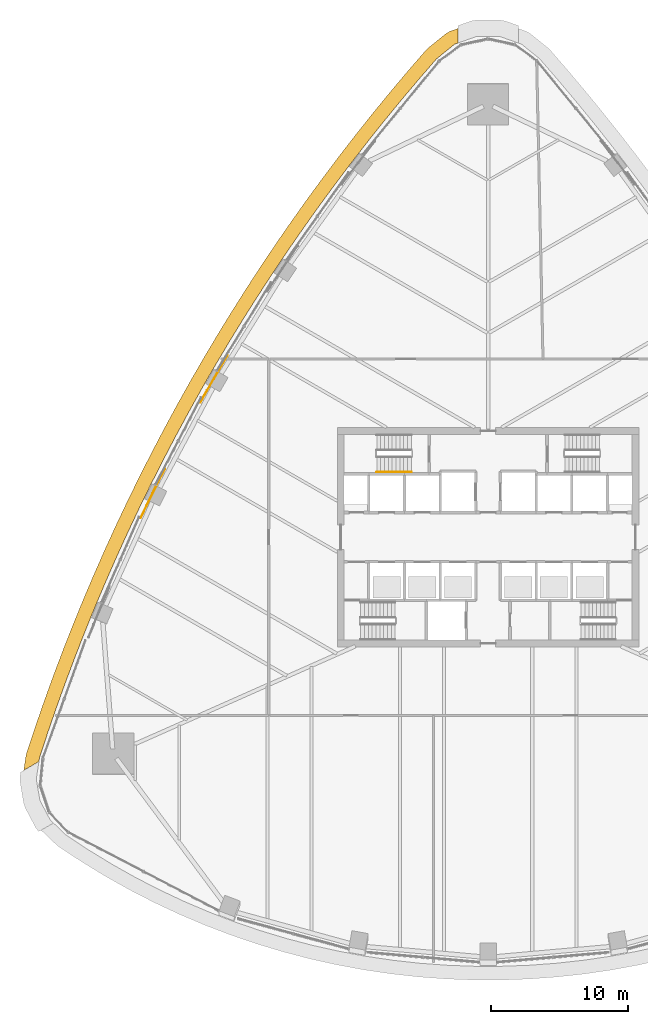
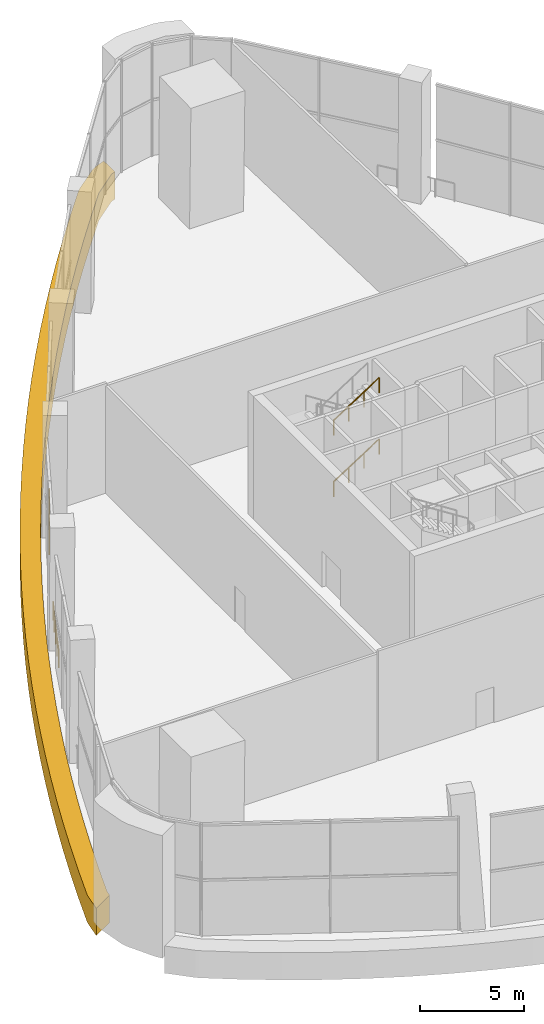
# One storey, part 20 of 23: 4 railings, 1 covering.
"""IFC4 building model written with IfcOpenShell, lengths in metres."""

from ifc_helpers import new_model, si_unit, direction, frame, origin, origin_2d, place, context, subcontext, project, spatial, polyline, circle, outline, extrude, material, layer, layer_set, type_object, element, save


model = new_model("IFC4")

# Units and contexts
model_context = context("Model", 3, precision=1e-05, world=origin(), true_north=direction((0.0, 1.0)))
body_context = subcontext(model_context, "Body", "Model", "MODEL_VIEW")
ifc_project = project(units=[si_unit("LENGTHUNIT", "METRE"), si_unit("AREAUNIT", "SQUARE_METRE"), si_unit("VOLUMEUNIT", "CUBIC_METRE"), si_unit("PLANEANGLEUNIT", "RADIAN"), si_unit("MASSUNIT", "GRAM", prefix="KILO")], contexts=[model_context])

# Site, building, storey
site_placement = place(None, origin())
site = spatial("IfcSite", under=ifc_project, at=site_placement, CompositionType="ELEMENT")
building_placement = place(site_placement, origin())
building = spatial("IfcBuilding", under=site, at=building_placement, Name="Sierra Prisma Convention Tower", CompositionType="ELEMENT")
storey_placement = place(building_placement, frame((0.0, 0.0, 40.800048828125)))
storey = spatial("IfcBuildingStorey", under=building, at=storey_placement, Name="L06", CompositionType="ELEMENT", Elevation=40.800048828125)

# Covering
ifc_material_1 = material(Name="Aluminium composite bronze anodised", Category="aluminium")
ifc_layer = layer(ifc_material_1, 1.0)
ifc_layer_set = layer_set([ifc_layer], Name="Bronze spandrel band")
covering_type = type_object("IfcCoveringType", Name="Bronze spandrel band", PredefinedType="CLADDING", material=ifc_layer_set)
covering_placement = place(storey_placement, frame((0.0, 0.0, -1.60009765625)))
element("IfcCovering", 1, at=covering_placement, inside=storey, type_object=covering_type, Name="Spandrel band L06.1", PredefinedType="CLADDING", context=body_context, shape_type="SweptSolid", body=[
    extrude(outline(polyline([(-28.771484375, -2.7763671875), (-27.978759765625, -0.976318359375), (-27.97314453125, -0.9638671875), (-27.15625, 0.8251953125), (-27.150390625, 0.837646484375), (-26.30908203125, 2.615478515625), (-26.30322265625, 2.627685546875), (-25.43798828125, 4.39404296875), (-25.431884765625, 4.40625), (-24.54248046875, 6.160400390625), (-24.536376953125, 6.172607421875), (-23.623046875, 7.91455078125), (-23.61669921875, 7.926513671875), (-22.679931640625, 9.656005859375), (-22.673583984375, 9.66796875), (-21.71337890625, 11.384521484375), (-21.70654296875, 11.396484375), (-20.72314453125, 13.099853515625), (-20.71630859375, 13.111572265625), (-19.709716796875, 14.80126953125), (-19.70263671875, 14.81298828125), (-18.67333984375, 16.489013671875), (-18.666015625, 16.50048828125), (-17.614013671875, 18.162353515625), (-17.606689453125, 18.173828125), (-16.531982421875, 19.821044921875), (-16.5244140625, 19.83251953125), (-15.427490234375, 21.465087890625), (-15.419921875, 21.476318359375), (-14.30078125, 23.09375), (-14.293212890625, 23.10498046875), (-13.152099609375, 24.70703125), (-13.144287109375, 24.718017578125), (-11.981689453125, 26.304443359375), (-11.973388671875, 26.3154296875), (-10.789306640625, 27.885986328125), (-10.78125, 27.896728515625), (-9.57568359375, 29.450927734375), (-9.5673828125, 29.461669921875), (-8.341064453125, 30.99951171875), (-8.33251953125, 31.010009765625), (-7.085205078125, 32.531005859375), (-7.07666015625, 32.54150390625), (-5.808837890625, 34.045166015625), (-5.800048828125, 34.055419921875), (-4.511962890625, 35.5419921875), (-4.385009765625, 35.66455078125), (-3.069580078125, 36.728271484375), (-2.7744140625, 36.8935546875), (-2.2099609375, 37.093017578125), (-2.2099609375, 36.032470703125), (-2.44091796875, 35.95068359375), (-3.75634765625, 34.886962890625), (-5.044189453125, 33.400634765625), (-6.31201171875, 31.896728515625), (-7.55908203125, 30.3759765625), (-8.78564453125, 28.838134765625), (-9.409423828125, 28.03369140625), (-9.4111328125, 28.032958984375), (-9.415283203125, 28.0302734375), (-9.419189453125, 28.027099609375), (-9.422607421875, 28.023681640625), (-9.42578125, 28.02001953125), (-10.156982421875, 27.068359375), (-10.15966796875, 27.064453125), (-10.162109375, 27.060302734375), (-10.163818359375, 27.05615234375), (-10.164794921875, 27.05322265625), (-11.175048828125, 25.71337890625), (-12.337646484375, 24.126953125), (-13.478515625, 22.52490234375), (-14.59765625, 20.9072265625), (-14.982666015625, 20.333984375), (-14.98388671875, 20.33349609375), (-14.98779296875, 20.330322265625), (-14.991455078125, 20.3271484375), (-14.994873046875, 20.323486328125), (-14.997802734375, 20.319580078125), (-15.664794921875, 19.322021484375), (-15.667236328125, 19.31787109375), (-15.669189453125, 19.3134765625), (-15.67041015625, 19.310791015625), (-15.694580078125, 19.274658203125), (-16.76904296875, 17.62744140625), (-17.8212890625, 15.965576171875), (-18.8505859375, 14.28955078125), (-19.857177734375, 12.599853515625), (-20.039794921875, 12.283447265625), (-20.04248046875, 12.281005859375), (-20.0458984375, 12.277587890625), (-20.049072265625, 12.273681640625), (-20.051513671875, 12.26953125), (-20.651611328125, 11.23046875), (-20.65380859375, 11.22607421875), (-20.65576171875, 11.221435546875), (-20.656982421875, 11.216796875), (-20.65771484375, 11.213134765625), (-20.840576171875, 10.896484375), (-21.80078125, 9.179931640625), (-22.7373046875, 7.450439453125), (-23.650634765625, 5.708251953125), (-24.539794921875, 3.9541015625), (-24.558837890625, 3.915283203125), (-24.560546875, 3.913330078125), (-24.563232421875, 3.9091796875), (-24.565673828125, 3.905029296875), (-25.09619140625, 2.82861328125), (-25.097900390625, 2.82421875), (-25.099609375, 2.819580078125), (-25.1005859375, 2.814697265625), (-25.10107421875, 2.809814453125), (-25.10107421875, 2.80859375), (-25.4052734375, 2.187744140625), (-26.24658203125, 0.409912109375), (-27.063720703125, -1.379150390625), (-27.856201171875, -3.17919921875), (-28.51123046875, -4.7236328125), (-28.51318359375, -4.7255859375), (-28.51611328125, -4.7294921875), (-28.518310546875, -4.733642578125), (-28.5205078125, -4.73779296875), (-28.97900390625, -5.846923828125), (-28.980712890625, -5.8515625), (-28.981689453125, -5.856201171875), (-28.982421875, -5.861083984375), (-28.982666015625, -5.865966796875), (-28.982666015625, -5.867919921875), (-29.36767578125, -6.81103515625), (-30.086181640625, -8.641845703125), (-30.77978515625, -10.482421875), (-31.447998046875, -12.332275390625), (-32.09130859375, -14.19091796875), (-32.709228515625, -16.058349609375), (-32.755615234375, -16.359619140625), (-33.8662109375, -17.000732421875), (-33.697509765625, -15.906005859375), (-33.65869140625, -15.744140625), (-33.040771484375, -13.876708984375), (-33.036376953125, -13.864013671875), (-32.39306640625, -12.005126953125), (-32.388671875, -11.992431640625), (-31.72021484375, -10.142578125), (-31.715576171875, -10.1298828125), (-31.02197265625, -8.289306640625), (-31.01708984375, -8.276611328125), (-30.298583984375, -6.44580078125), (-30.29345703125, -6.43310546875), (-29.550048828125, -4.612060546875), (-29.544921875, -4.599609375), (-28.77685546875, -2.788818359375), (-28.771484375, -2.7763671875)])), origin(), (0.0, 0.0, 1.0), 1.60009765625),
])

# Railings
ifc_material_2 = material(Name="Stainless steel", Category="steel")
railing_type_1 = type_object("IfcRailingType", Name="Exit stair handrail", PredefinedType="HANDRAIL", material=ifc_material_2)
railing_1_placement = place(storey_placement, frame((-8.1201171875, 4.75, 1.97998046875)))
element("IfcRailing", 2, at=railing_1_placement, inside=storey, type_object=railing_type_1, Name="L06 S3 stair handrail 2", PredefinedType="HANDRAIL", context=body_context, shape_type="SweptSolid", body=[
    extrude(circle(Radius=0.02392578125, at=origin_2d()), frame((0.0, 0.0, 0.8759765625), z_axis=(0.841199657755, 0.0, 0.540724639528), x_axis=(0.0, 1.0, 0.0)), (0.0, 0.0, 1.0), 2.995849609375),
    extrude(circle(Radius=0.02099609375, at=origin_2d()), origin(), (0.0, 0.0, 1.0), 0.851806640625),
    extrude(circle(Radius=0.02099609375, at=origin_2d()), frame((0.840087890625, 0.0, 0.5400390625)), (0.0, 0.0, 1.0), 0.851806640625),
    extrude(circle(Radius=0.02099609375, at=origin_2d()), frame((1.679931640625, 0.0, 1.079833984375)), (0.0, 0.0, 1.0), 0.851806640625),
    extrude(circle(Radius=0.02099609375, at=origin_2d()), frame((2.52001953125, 0.0, 1.619873046875)), (0.0, 0.0, 1.0), 0.851806640625),
])
railing_2_placement = place(storey_placement, frame((-8.1201171875, 4.75, 5.579833984375)))
element("IfcRailing", 3, at=railing_2_placement, inside=storey, type_object=railing_type_1, Name="L06 S3 stair handrail 4", PredefinedType="HANDRAIL", context=body_context, shape_type="SweptSolid", body=[
    extrude(circle(Radius=0.02392578125, at=origin_2d()), frame((0.0, 0.0, 0.8759765625), z_axis=(0.841162588446, 0.0, 0.540782303519), x_axis=(0.0, 1.0, 0.0)), (0.0, 0.0, 1.0), 2.995849609375),
    extrude(circle(Radius=0.02099609375, at=origin_2d()), origin(), (0.0, 0.0, 1.0), 0.851806640625),
    extrude(circle(Radius=0.02099609375, at=origin_2d()), frame((0.840087890625, 0.0, 0.5400390625)), (0.0, 0.0, 1.0), 0.851806640625),
    extrude(circle(Radius=0.02099609375, at=origin_2d()), frame((1.679931640625, 0.0, 1.080078125)), (0.0, 0.0, 1.0), 0.851806640625),
    extrude(circle(Radius=0.02099609375, at=origin_2d()), frame((2.52001953125, 0.0, 1.6201171875)), (0.0, 0.0, 1.0), 0.851806640625),
])
ifc_material_3 = material(Name="Bronze anodised aluminium", Category="aluminium")
railing_type_2 = type_object("IfcRailingType", Name="Facade guard 1100", PredefinedType="GUARDRAIL", material=ifc_material_3)
railing_3_placement = place(storey_placement, frame((-18.9931640625, 13.268798828125, 0.0)))
element("IfcRailing", 4, at=railing_3_placement, inside=storey, type_object=railing_type_2, Name="Facade guard", PredefinedType="GUARDRAIL", context=body_context, shape_type="SweptSolid", body=[
    extrude(circle(Radius=0.02392578125, at=origin_2d()), frame((0.0, 0.0, 1.076171875), z_axis=(-0.511686045322, -0.859172503647, 0.0), x_axis=(0.859172503647, -0.511686045322, 0.0)), (0.0, 0.0, 1.0), 0.99755859375),
    extrude(circle(Radius=0.02392578125, at=origin_2d()), frame((-0.510498046875, -0.857177734375, 1.076171875), z_axis=(-0.500089897431, -0.865973495257, 0.0), x_axis=(0.865973495257, -0.500089897431, 0.0)), (0.0, 0.0, 1.0), 0.996826171875),
    extrude(circle(Radius=0.02392578125, at=origin_2d()), frame((-1.009033203125, -1.720458984375, 1.076171875), z_axis=(-0.499800182548, -0.866140737713, 0.0), x_axis=(0.866140737713, -0.499800182548, 0.0)), (0.0, 0.0, 1.0), 0.9970703125),
    extrude(circle(Radius=0.02392578125, at=origin_2d()), frame((-1.50732421875, -2.583984375, 1.076171875), z_axis=(-0.488238167352, -0.872710428459, 0.0), x_axis=(0.872710428459, -0.488238167352, 0.0)), (0.0, 0.0, 1.0), 0.99755859375),
    extrude(circle(Radius=0.02099609375, at=origin_2d()), origin(), (0.0, 0.0, 1.0), 1.052001953125),
    extrude(circle(Radius=0.02099609375, at=origin_2d()), frame((-0.510498046875, -0.857177734375, 0.0)), (0.0, 0.0, 1.0), 1.052001953125),
    extrude(circle(Radius=0.02099609375, at=origin_2d()), frame((-1.009033203125, -1.720458984375, 0.0)), (0.0, 0.0, 1.0), 1.052001953125),
    extrude(circle(Radius=0.02099609375, at=origin_2d()), frame((-1.50732421875, -2.583984375, 0.0)), (0.0, 0.0, 1.0), 1.052001953125),
    extrude(circle(Radius=0.02099609375, at=origin_2d()), frame((-1.994384765625, -3.45458984375, 0.0)), (0.0, 0.0, 1.0), 1.052001953125),
])
railing_4_placement = place(storey_placement, frame((-23.57568359375, 4.97119140625, 0.0)))
element("IfcRailing", 5, at=railing_4_placement, inside=storey, type_object=railing_type_2, Name="Facade guard", PredefinedType="GUARDRAIL", context=body_context, shape_type="SweptSolid", body=[
    extrude(circle(Radius=0.02392578125, at=origin_2d()), frame((0.0, 0.0, 1.076171875), z_axis=(-0.452187560716, -0.891922872189, 0.0), x_axis=(0.891922872189, -0.452187560716, 0.0)), (0.0, 0.0, 1.0), 1.0),
    extrude(circle(Radius=0.02392578125, at=origin_2d()), frame((-0.4521484375, -0.891845703125, 1.076171875), z_axis=(-0.444068724459, -0.895992727625, 0.0), x_axis=(0.895992727625, -0.444068724459, 0.0)), (0.0, 0.0, 1.0), 0.99462890625),
    extrude(circle(Radius=0.02392578125, at=origin_2d()), frame((-0.893798828125, -1.782958984375, 1.076171875), z_axis=(-0.440168795441, -0.897915046939, 0.0), x_axis=(0.897915046939, -0.440168795441, 0.0)), (0.0, 0.0, 1.0), 1.0),
    extrude(circle(Radius=0.02392578125, at=origin_2d()), frame((-1.333984375, -2.680908203125, 1.076171875), z_axis=(-0.431533667968, -0.902096831504, 0.0), x_axis=(0.902096831504, -0.431533667968, 0.0)), (0.0, 0.0, 1.0), 0.99462890625),
    extrude(circle(Radius=0.02099609375, at=origin_2d()), origin(), (0.0, 0.0, 1.0), 1.052001953125),
    extrude(circle(Radius=0.02099609375, at=origin_2d()), frame((-0.4521484375, -0.891845703125, 0.0)), (0.0, 0.0, 1.0), 1.052001953125),
    extrude(circle(Radius=0.02099609375, at=origin_2d()), frame((-0.893798828125, -1.782958984375, 0.0)), (0.0, 0.0, 1.0), 1.052001953125),
    extrude(circle(Radius=0.02099609375, at=origin_2d()), frame((-1.333984375, -2.680908203125, 0.0)), (0.0, 0.0, 1.0), 1.052001953125),
    extrude(circle(Radius=0.02099609375, at=origin_2d()), frame((-1.76318359375, -3.578125, 0.0)), (0.0, 0.0, 1.0), 1.052001953125),
])

save(model, "model.ifc")
